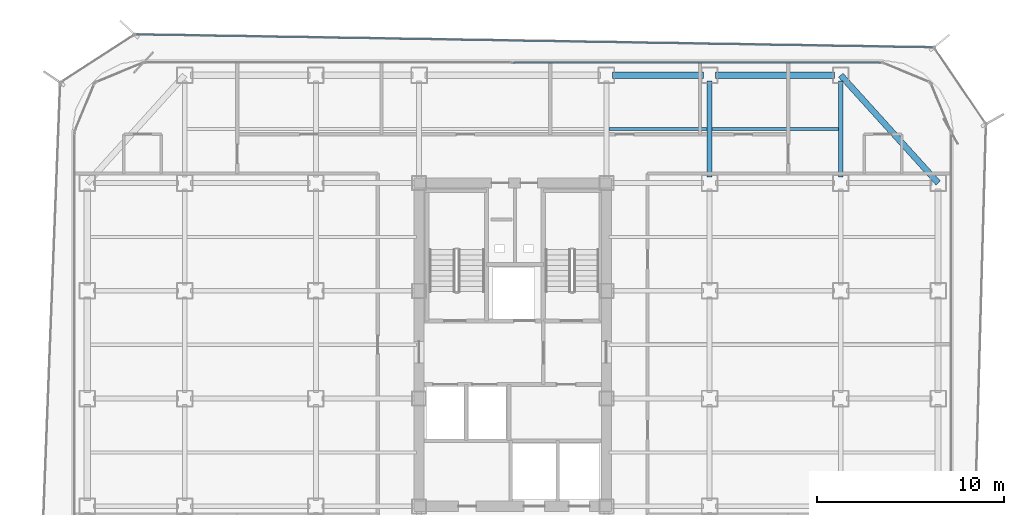
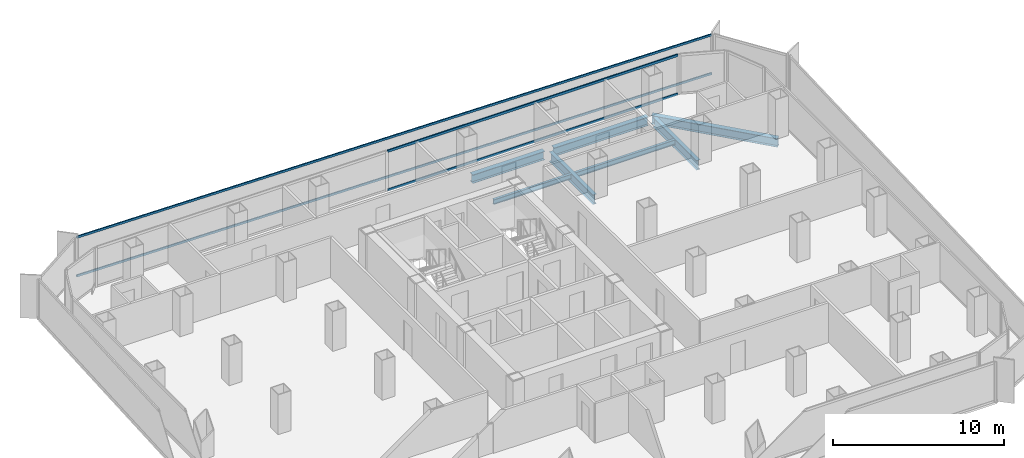
# One storey, part 13 of 21: 7 beams, 4 members, 2 elements without a shape of their own.
"""IFC4 building model written with IfcOpenShell, lengths in metres."""

from ifc_helpers import new_model, si_unit, direction, frame, origin, origin_2d, place, context, subcontext, project, spatial, hollow_rectangle, i_section, extrude, source, transform, mapped, material, layer, layer_set, material_profile, profile_set, type_object, element, aggregate, save


model = new_model("IFC4")

# Units and contexts
model_context = context("Model", 3, precision=1e-05, world=origin(), true_north=direction((0.0, 1.0)))
body_context = subcontext(model_context, "Body", "Model", "MODEL_VIEW")
ifc_project = project(units=[si_unit("LENGTHUNIT", "METRE"), si_unit("AREAUNIT", "SQUARE_METRE"), si_unit("VOLUMEUNIT", "CUBIC_METRE"), si_unit("PLANEANGLEUNIT", "RADIAN"), si_unit("MASSUNIT", "GRAM", prefix="KILO")], contexts=[model_context])

# Site, building, storey
site_placement = place(None, origin())
site = spatial("IfcSite", under=ifc_project, at=site_placement, CompositionType="ELEMENT")
building_placement = place(site_placement, origin())
building = spatial("IfcBuilding", under=site, at=building_placement, Name="Kolveth Station Tower", CompositionType="ELEMENT")
storey_placement = place(building_placement, frame((0.0, 0.0, 140.699951171875)))
storey = spatial("IfcBuildingStorey", under=building, at=storey_placement, Name="L39", CompositionType="ELEMENT", Elevation=140.699951171875)

# Beams
ifc_material_1 = material(Name="Steel S355", Category="steel")
ifc_material_profile_1 = material_profile(ifc_material_1, i_section(OverallWidth=0.323974609375, OverallDepth=0.611083984375, WebThickness=0.0126953125, FlangeThickness=0.01904296875, at=origin_2d()), Name="W610x155")
ifc_profile_set_1 = profile_set([ifc_material_profile_1], Name="Steel S355")
beam_type_1 = type_object("IfcBeamType", Name="Beam_SP2", PredefinedType="SPANDREL", material=ifc_profile_set_1)
shared_shape_1 = source(origin(), body_context, "Body", "SweptSolid", [
    extrude(i_section(OverallWidth=0.323974609375, OverallDepth=0.611083984375, WebThickness=0.0126953125, FlangeThickness=0.01904296875, at=origin_2d()), origin(), (0.0, 0.0, 1.0), 6.35986328125),
])
beam_1_placement = place(storey_placement, frame((34.320068359375, 34.5, -0.555419921875), z_axis=(1.0, 0.0, 0.0), x_axis=(0.0, 1.0, 0.0)))
element("IfcBeam", 1, at=beam_1_placement, inside=storey, type_object=beam_type_1, Name="L39 Perimeter Spandrel BM-L39-PN-5", PredefinedType="SPANDREL", context=body_context, shape_type="MappedRepresentation", body=[
    mapped(shared_shape_1, transform((0.0, 0.0, 0.0), x_axis=(1.0, 0.0, 0.0), y_axis=(0.0, 1.0, 0.0), z_axis=(0.0, 0.0, 1.0), scale=1.0)),
])
shared_shape_2 = source(origin(), body_context, "Body", "SweptSolid", [
    extrude(i_section(OverallWidth=0.323974609375, OverallDepth=0.611083984375, WebThickness=0.0126953125, FlangeThickness=0.01904296875, at=origin_2d()), origin(), (0.0, 0.0, 1.0), 4.85986328125),
])
beam_2_placement = place(storey_placement, frame((28.820068359375, 34.5, -0.555419921875), z_axis=(1.0, 0.0, 0.0), x_axis=(0.0, 1.0, 0.0)))
element("IfcBeam", 2, at=beam_2_placement, inside=storey, type_object=beam_type_1, Name="L39 Perimeter Spandrel BM-L39-PN-4", PredefinedType="SPANDREL", context=body_context, shape_type="MappedRepresentation", body=[
    mapped(shared_shape_2, transform((0.0, 0.0, 0.0), x_axis=(1.0, 0.0, 0.0), y_axis=(0.0, 1.0, 0.0), z_axis=(0.0, 0.0, 1.0), scale=1.0)),
])
shared_shape_3 = source(origin(), body_context, "Body", "SweptSolid", [
    extrude(i_section(OverallWidth=0.323974609375, OverallDepth=0.611083984375, WebThickness=0.0126953125, FlangeThickness=0.01904296875, at=origin_2d()), origin(), (0.0, 0.0, 1.0), 7.75244140625),
])
beam_3_placement = place(storey_placement, frame((46.199951171875, 28.75, -0.555419921875), z_axis=(-0.670740965555, 0.74169168603, 0.0), x_axis=(-0.74169168603, -0.670740965555, 0.0)))
element("IfcBeam", 3, at=beam_3_placement, inside=storey, type_object=beam_type_1, Name="L39 Corner Edge Girder BM-L39-CNR-NE", PredefinedType="SPANDREL", context=body_context, shape_type="MappedRepresentation", body=[
    mapped(shared_shape_3, transform((0.0, 0.0, 0.0), x_axis=(1.0, 0.0, 0.0), y_axis=(0.0, 1.0, 0.0), z_axis=(0.0, 0.0, 1.0), scale=1.0)),
])
ifc_material_profile_2 = material_profile(ifc_material_1, i_section(OverallWidth=0.25390625, OverallDepth=0.68798828125, WebThickness=0.01318359375, FlangeThickness=0.02099609375, at=origin_2d()), Name="W690x152")
ifc_profile_set_2 = profile_set([ifc_material_profile_2], Name="Steel S355")
beam_type_2 = type_object("IfcBeamType", Name="Beam_B4", PredefinedType="BEAM", material=ifc_profile_set_2)
shared_shape_4 = source(origin(), body_context, "Body", "SweptSolid", [
    extrude(i_section(OverallWidth=0.25390625, OverallDepth=0.68798828125, WebThickness=0.01318359375, FlangeThickness=0.02099609375, at=origin_2d()), origin(), (0.0, 0.0, 1.0), 5.10986328125),
])
for number, where, z_axis, x_axis, name in (
    (4, (34.0, 29.070068359375, -0.593994140625), (0.0, 1.0, 0.0), (-1.0, 0.0, 0.0), "L39 Primary Girder BM-L39-GX340-6"),
    (5, (41.0, 29.070068359375, -0.593994140625), (0.0, 1.0, 0.0), (-1.0, 0.0, 0.0), "L39 Primary Girder BM-L39-GX410-6"),
):
    element("IfcBeam", number, at=place(storey_placement, frame(where, z_axis=z_axis, x_axis=x_axis)), inside=storey, type_object=beam_type_2, Name=name, PredefinedType="BEAM", context=body_context, shape_type="MappedRepresentation", body=[
        mapped(shared_shape_4, transform((0.0, 0.0, 0.0), x_axis=(1.0, 0.0, 0.0), y_axis=(0.0, 1.0, 0.0), z_axis=(0.0, 0.0, 1.0), scale=1.0)),
    ])
ifc_material_profile_3 = material_profile(ifc_material_1, i_section(OverallWidth=0.1708984375, OverallDepth=0.35205078125, WebThickness=0.0068359375, FlangeThickness=0.009765625, at=origin_2d()), Name="W360x44")
ifc_profile_set_3 = profile_set([ifc_material_profile_3], Name="Steel S355")
beam_type_3 = type_object("IfcBeamType", Name="Beam_J2", PredefinedType="JOIST", material=ifc_profile_set_3)
shared_shape_5 = source(origin(), body_context, "Body", "SweptSolid", [
    extrude(i_section(OverallWidth=0.1708984375, OverallDepth=0.35205078125, WebThickness=0.0068359375, FlangeThickness=0.009765625, at=origin_2d()), origin(), (0.0, 0.0, 1.0), 6.75),
])
beam_4_placement = place(storey_placement, frame((34.125, 31.625, -0.426025390625), z_axis=(1.0, 0.0, 0.0), x_axis=(0.0, 1.0, 0.0)))
element("IfcBeam", 6, at=beam_4_placement, inside=storey, type_object=beam_type_3, Name="L39 Secondary Joist JST-L39-6-6", PredefinedType="JOIST", context=body_context, shape_type="MappedRepresentation", body=[
    mapped(shared_shape_5, transform((0.0, 0.0, 0.0), x_axis=(1.0, 0.0, 0.0), y_axis=(0.0, 1.0, 0.0), z_axis=(0.0, 0.0, 1.0), scale=1.0)),
])
shared_shape_6 = source(origin(), body_context, "Body", "SweptSolid", [
    extrude(i_section(OverallWidth=0.1708984375, OverallDepth=0.35205078125, WebThickness=0.0068359375, FlangeThickness=0.009765625, at=origin_2d()), origin(), (0.0, 0.0, 1.0), 5.25),
])
beam_5_placement = place(storey_placement, frame((28.625, 31.625, -0.426025390625), z_axis=(1.0, 0.0, 0.0), x_axis=(0.0, 1.0, 0.0)))
element("IfcBeam", 7, at=beam_5_placement, inside=storey, type_object=beam_type_3, Name="L39 Secondary Joist JST-L39-5-6", PredefinedType="JOIST", context=body_context, shape_type="MappedRepresentation", body=[
    mapped(shared_shape_6, transform((0.0, 0.0, 0.0), x_axis=(1.0, 0.0, 0.0), y_axis=(0.0, 1.0, 0.0), z_axis=(0.0, 0.0, 1.0), scale=1.0)),
])

# Curtain wall, members
ifc_material_2 = material(Name="Aluminium 6063-T6 and low-E dark glass", Category="aluminium")
ifc_layer_1 = layer(ifc_material_2, 0.18994140625)
ifc_layer_set_1 = layer_set([ifc_layer_1], Name="Aluminium 6063-T6 and low-E dark glass")
curtain_wall_type_1 = type_object("IfcCurtainWallType", Name="CurtainWall_CW-Z2", PredefinedType="NOTDEFINED", material=ifc_layer_set_1)
curtain_wall_1_placement = place(storey_placement, origin())
curtain_wall_1 = element("IfcCurtainWall", 8, at=curtain_wall_1_placement, inside=storey, type_object=curtain_wall_type_1, Name="L39 Inner Thermal Curtain Wall 6", PredefinedType="NOTDEFINED")
ifc_material_3 = material(Name="Black anodized aluminium 6063-T6", Category="aluminium")
ifc_material_profile_4 = material_profile(ifc_material_3, hollow_rectangle(XDim=0.080078125, YDim=0.169921875, WallThickness=0.0048828125, at=origin_2d()), Name="ALU-80x170x5")
ifc_profile_set_4 = profile_set([ifc_material_profile_4], Name="Black anodized aluminium 6063-T6")
member_type_1 = type_object("IfcMemberType", Name="Transom_TR2", PredefinedType="USERDEFINED", material=ifc_profile_set_4)
shared_shape_7 = source(origin(), body_context, "Body", "SweptSolid", [
    extrude(hollow_rectangle(XDim=0.080078125, YDim=0.169921875, WallThickness=0.0048828125, at=origin_2d()), origin(), (0.0, 0.0, 1.0), 19.580078125),
])
member_1_placement = place(storey_placement, frame((43.1201171875, 35.179931640625, 0.0400390625), z_axis=(-1.0, 0.0, 0.0), x_axis=(0.0, -1.0, 0.0)))
member_1 = element("IfcMember", 9, at=member_1_placement, type_object=member_type_1, Name="CW-Z2 transom 1.1", ObjectType="TRANSOM", PredefinedType="USERDEFINED", context=body_context, shape_type="MappedRepresentation", body=[
    mapped(shared_shape_7, transform((0.0, 0.0, 0.0), x_axis=(1.0, 0.0, 0.0), y_axis=(0.0, 1.0, 0.0), z_axis=(0.0, 0.0, 1.0), scale=1.0)),
])
member_2_placement = place(storey_placement, frame((43.1201171875, 35.179931640625, 2.800048828125), z_axis=(-1.0, 0.0, 0.0), x_axis=(0.0, -1.0, 0.0)))
member_2 = element("IfcMember", 10, at=member_2_placement, type_object=member_type_1, Name="CW-Z2 transom 1.2", ObjectType="TRANSOM", PredefinedType="USERDEFINED", context=body_context, shape_type="MappedRepresentation", body=[
    mapped(shared_shape_7, transform((0.0, 0.0, 0.0), x_axis=(1.0, 0.0, 0.0), y_axis=(0.0, 1.0, 0.0), z_axis=(0.0, 0.0, 1.0), scale=1.0)),
])
aggregate(curtain_wall_1, [member_1, member_2])

ifc_material_4 = material(Name="Black anodized aluminium 6063-T6 and dark solar glass", Category="aluminium")
ifc_layer_2 = layer(ifc_material_4, 0.159912109375)
ifc_layer_set_2 = layer_set([ifc_layer_2], Name="Black anodized aluminium 6063-T6 and dark solar glass")
curtain_wall_type_2 = type_object("IfcCurtainWallType", Name="OUTER SKIN CW-OS", PredefinedType="NOTDEFINED", material=ifc_layer_set_2)
curtain_wall_2_placement = place(storey_placement, origin())
curtain_wall_2 = element("IfcCurtainWall", 11, at=curtain_wall_2_placement, inside=storey, type_object=curtain_wall_type_2, Name="L39 Outer Ventilated Skin Curtain Wall 4", PredefinedType="NOTDEFINED")
ifc_material_profile_5 = material_profile(ifc_material_3, hollow_rectangle(XDim=0.080078125, YDim=0.14990234375, WallThickness=0.0048828125, at=origin_2d()), Name="ALU-80x150x5")
ifc_profile_set_5 = profile_set([ifc_material_profile_5], Name="Black anodized aluminium 6063-T6")
member_type_2 = type_object("IfcMemberType", Name="Transom_TR-OS", PredefinedType="USERDEFINED", material=ifc_profile_set_5)
shared_shape_8 = source(origin(), body_context, "Body", "SweptSolid", [
    extrude(hollow_rectangle(XDim=0.080078125, YDim=0.14990234375, WallThickness=0.0048828125, at=origin_2d()), origin(), (0.0, 0.0, 1.0), 42.46826171875),
])
member_3_placement = place(storey_placement, frame((45.884521484375, 35.9873046875, 0.0400390625), z_axis=(-0.999868583895, 0.01621156811, 0.0), x_axis=(-0.01621156811, -0.999868583895, 0.0)))
member_3 = element("IfcMember", 12, at=member_3_placement, type_object=member_type_2, Name="CW-OS transom 1.1", ObjectType="TRANSOM", PredefinedType="USERDEFINED", context=body_context, shape_type="MappedRepresentation", body=[
    mapped(shared_shape_8, transform((0.0, 0.0, 0.0), x_axis=(1.0, 0.0, 0.0), y_axis=(0.0, 1.0, 0.0), z_axis=(0.0, 0.0, 1.0), scale=1.0)),
])
member_4_placement = place(storey_placement, frame((45.884521484375, 35.9873046875, 2.800048828125), z_axis=(-0.999868583895, 0.01621156811, 0.0), x_axis=(-0.01621156811, -0.999868583895, 0.0)))
member_4 = element("IfcMember", 13, at=member_4_placement, type_object=member_type_2, Name="CW-OS transom 1.2", ObjectType="TRANSOM", PredefinedType="USERDEFINED", context=body_context, shape_type="MappedRepresentation", body=[
    mapped(shared_shape_8, transform((0.0, 0.0, 0.0), x_axis=(1.0, 0.0, 0.0), y_axis=(0.0, 1.0, 0.0), z_axis=(0.0, 0.0, 1.0), scale=1.0)),
])
aggregate(curtain_wall_2, [member_3, member_4])

save(model, "model.ifc")
